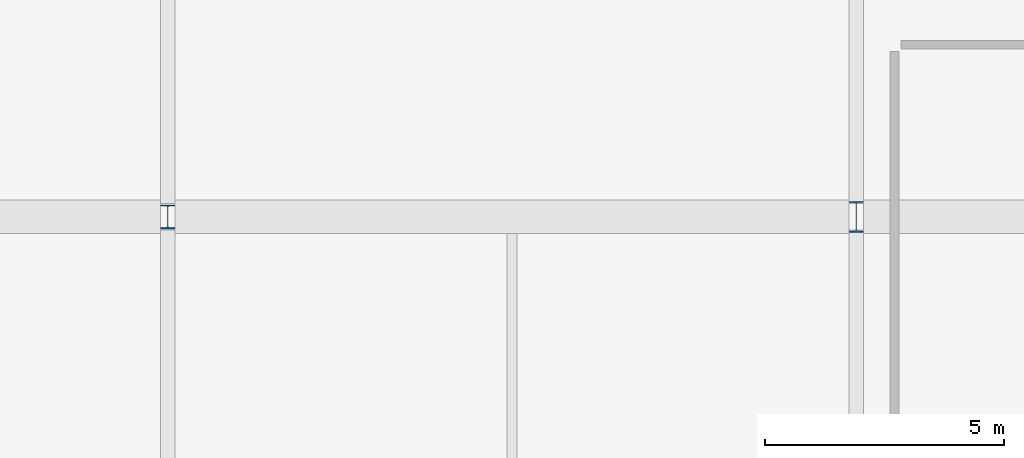
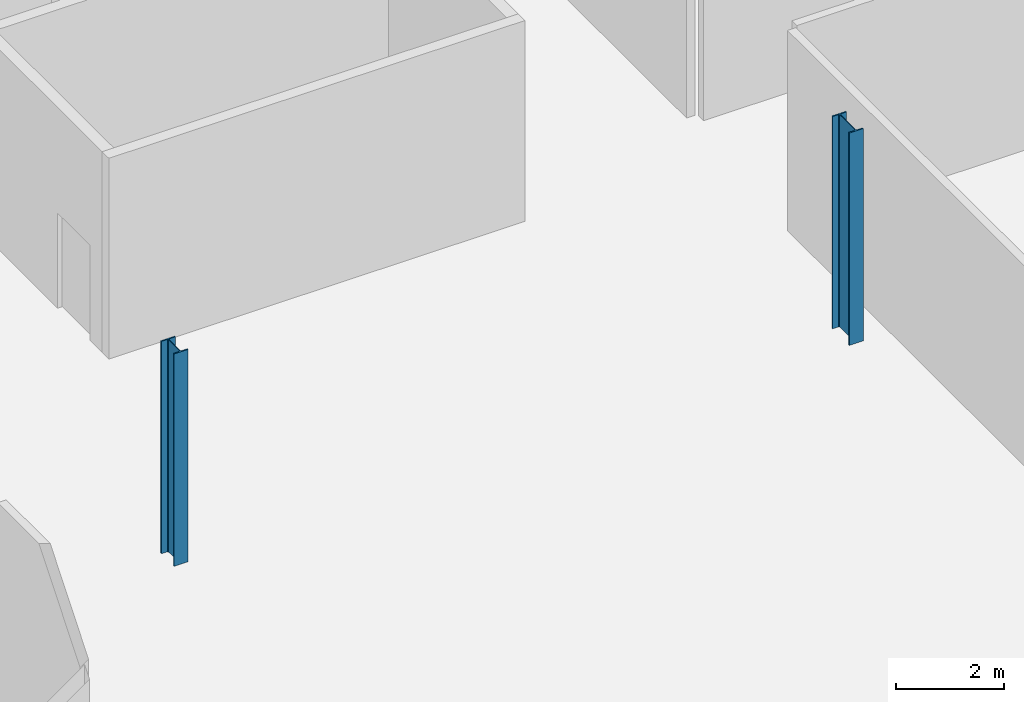
# One storey, part 17 of 193: 2 columns.
"""IFC4 building model written with IfcOpenShell, lengths in metres."""

from ifc_helpers import new_model, si_unit, direction, frame, origin, origin_2d, place, context, subcontext, project, spatial, i_section, extrude, material, material_profile, profile_set, type_object, element, save


model = new_model("IFC4")

# Units and contexts
model_context = context("Model", 3, precision=1e-05, world=origin(), true_north=direction((0.0, 1.0)))
body_context = subcontext(model_context, "Body", "Model", "MODEL_VIEW")
ifc_project = project(units=[si_unit("LENGTHUNIT", "METRE"), si_unit("AREAUNIT", "SQUARE_METRE"), si_unit("VOLUMEUNIT", "CUBIC_METRE"), si_unit("PLANEANGLEUNIT", "RADIAN"), si_unit("MASSUNIT", "GRAM", prefix="KILO")], contexts=[model_context])

# Site, building, storey
site_placement = place(None, origin())
site = spatial("IfcSite", under=ifc_project, at=site_placement, CompositionType="ELEMENT")
building_placement = place(site_placement, origin())
building = spatial("IfcBuilding", under=site, at=building_placement, Name="Cendralis Lancet Convention Centre", CompositionType="ELEMENT")
storey_placement = place(building_placement, frame((0.0, 0.0, 10.199951171875)))
storey = spatial("IfcBuildingStorey", under=building, at=storey_placement, Name="L02", CompositionType="ELEMENT", Elevation=10.199951171875)

# Columns
ifc_material = material(Name="Steel S355", Category="steel")
ifc_material_profile_1 = material_profile(ifc_material, i_section(OverallWidth=0.300048828125, OverallDepth=0.64990234375, WebThickness=0.01611328125, FlangeThickness=0.031005859375, FilletRadius=0.027099609375, at=origin_2d()), Name="HEB 650")
ifc_profile_set_1 = profile_set([ifc_material_profile_1], Name="Steel S355")
column_type_1 = type_object("IfcColumnType", Name="STR-COL-C20-INT", PredefinedType="COLUMN", material=ifc_profile_set_1)
column_1_placement = place(storey_placement, frame((153.60009765625, 122.39990234375, 0.0), z_axis=(0.0, 0.0, 1.0), x_axis=(1.0, 0.0, 0.0)))
element("IfcColumn", 1, at=column_1_placement, inside=storey, type_object=column_type_1, Name="L02 Column C20 at 153.6,122.4", PredefinedType="COLUMN", context=body_context, shape_type="SweptSolid", body=[
    extrude(i_section(OverallWidth=0.300048828125, OverallDepth=0.64990234375, WebThickness=0.01611328125, FlangeThickness=0.031005859375, FilletRadius=0.027099609375, at=origin_2d()), origin(), (0.0, 0.0, 1.0), 4.800048828125),
])
ifc_material_profile_2 = material_profile(ifc_material, i_section(OverallWidth=0.300048828125, OverallDepth=0.5, WebThickness=0.014404296875, FlangeThickness=0.028076171875, FilletRadius=0.027099609375, at=origin_2d()), Name="HEB 500")
ifc_profile_set_2 = profile_set([ifc_material_profile_2], Name="Steel S355")
column_type_2 = type_object("IfcColumnType", Name="STR-COL-C23-INT", PredefinedType="COLUMN", material=ifc_profile_set_2)
column_2_placement = place(storey_placement, frame((139.199951171875, 122.39990234375, 0.0), z_axis=(0.0, 0.0, 1.0), x_axis=(1.0, 0.0, 0.0)))
element("IfcColumn", 2, at=column_2_placement, inside=storey, type_object=column_type_2, Name="L02 Column C23 at 139.2,122.4", PredefinedType="COLUMN", context=body_context, shape_type="SweptSolid", body=[
    extrude(i_section(OverallWidth=0.300048828125, OverallDepth=0.5, WebThickness=0.014404296875, FlangeThickness=0.028076171875, FilletRadius=0.027099609375, at=origin_2d()), origin(), (0.0, 0.0, 1.0), 4.800048828125),
])

save(model, "model.ifc")
